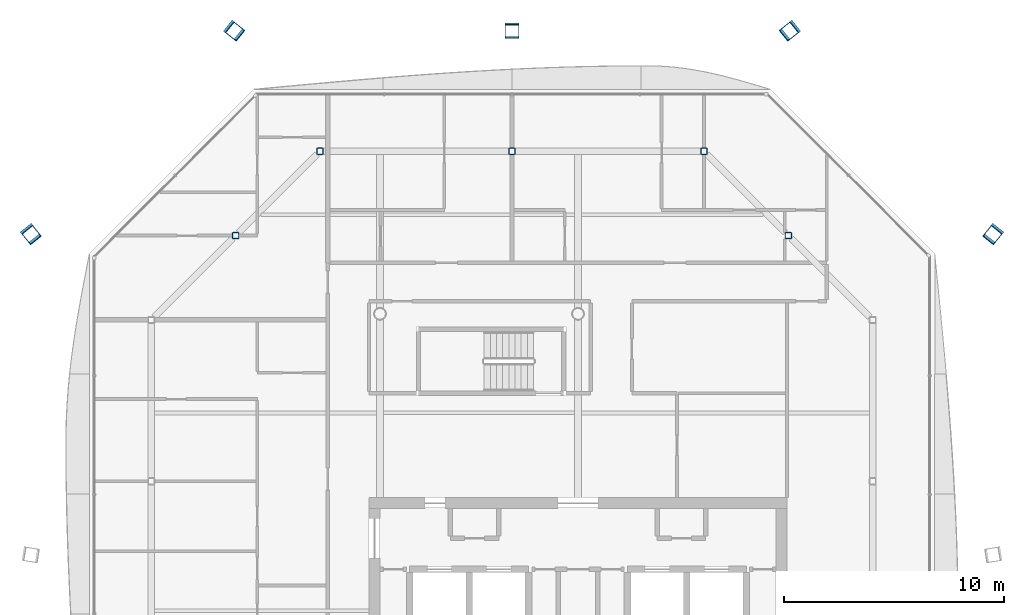
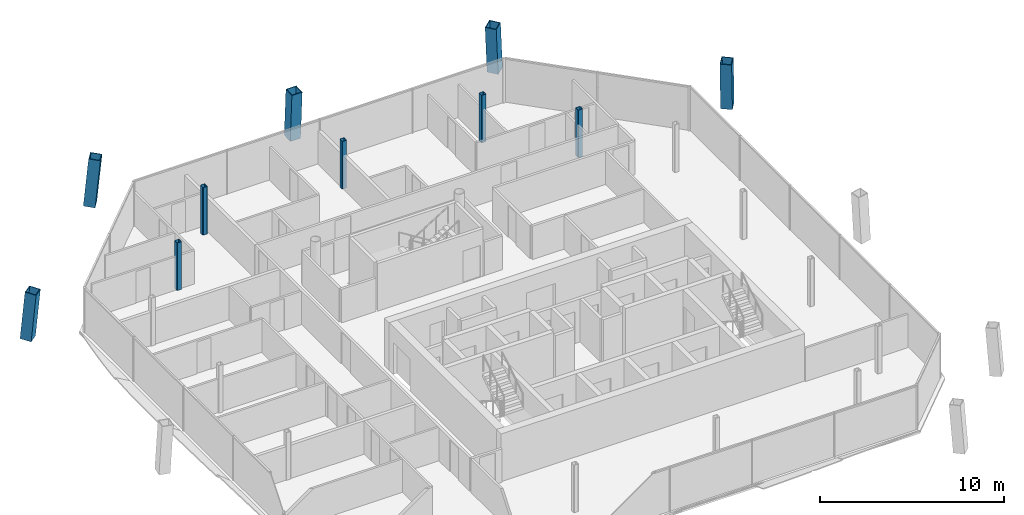
# One storey, part 3 of 18: 10 columns.
"""IFC4 building model written with IfcOpenShell, lengths in metres."""

from ifc_helpers import new_model, si_unit, direction, frame, origin, origin_2d, place, context, subcontext, project, spatial, hollow_rectangle, extrude, material, material_profile, profile_set, type_object, element, save


model = new_model("IFC4")

# Units and contexts
model_context = context("Model", 3, precision=1e-05, world=origin(), true_north=direction((0.0, 1.0)))
body_context = subcontext(model_context, "Body", "Model", "MODEL_VIEW")
ifc_project = project(units=[si_unit("LENGTHUNIT", "METRE"), si_unit("AREAUNIT", "SQUARE_METRE"), si_unit("VOLUMEUNIT", "CUBIC_METRE"), si_unit("PLANEANGLEUNIT", "RADIAN"), si_unit("MASSUNIT", "GRAM", prefix="KILO")], contexts=[model_context])

# Site, building, storey
site_placement = place(None, origin())
site = spatial("IfcSite", under=ifc_project, at=site_placement, CompositionType="ELEMENT")
building_placement = place(site_placement, origin())
building = spatial("IfcBuilding", under=site, at=building_placement, Name="Tskaro Facet Tower", CompositionType="ELEMENT")
storey_placement = place(building_placement, frame((0.0, 0.0, 220.35009765625)))
storey = spatial("IfcBuildingStorey", under=building, at=storey_placement, Name="L56", CompositionType="ELEMENT", Elevation=220.35009765625)

# Columns
ifc_material_1 = material(Name="Steel S355J2", Category="steel")
ifc_material_profile_1 = material_profile(ifc_material_1, hollow_rectangle(XDim=0.64990234375, YDim=0.64990234375, WallThickness=0.0400390625, at=origin_2d()), Name="BOX 650x650x40")
ifc_profile_set_1 = profile_set([ifc_material_profile_1], Name="Steel S355J2")
column_type_1 = type_object("IfcColumnType", Name="BOX 650x650x40 mega column", PredefinedType="COLUMN", material=ifc_profile_set_1)
for number, where, z_axis, x_axis, name in (
    (1, (18.902099609375, 12.66796875, 0.0), (-0.057575198106, -0.071776051258, 0.995757648742), (0.78004983387, -0.625717393621, 0.0), "BOX 650x650x40 MC06/5"),
    (2, (9.66796875, 21.902099609375, 0.0), (-0.071776051258, -0.057575198106, 0.995757648742), (0.625717393621, -0.78004983387, 0.0), "BOX 650x650x40 MC07/5"),
):
    element("IfcColumn", number, at=place(storey_placement, frame(where, z_axis=z_axis, x_axis=x_axis)), inside=storey, type_object=column_type_1, Name=name, PredefinedType="COLUMN", context=body_context, shape_type="SweptSolid", body=[
        extrude(hollow_rectangle(XDim=0.64990234375, YDim=0.64990234375, WallThickness=0.0400390625, at=origin_2d()), origin(), (0.0, 0.0, 1.0), 3.163330078125),
    ])
column_placement = place(storey_placement, frame((-3.0, 21.902099609375, 0.0), z_axis=(0.0, -0.057724081614, 0.998332575048), x_axis=(1.0, 0.0, 0.0)))
element("IfcColumn", 3, at=column_placement, inside=storey, type_object=column_type_1, Name="BOX 650x650x40 MC08/5", PredefinedType="COLUMN", context=body_context, shape_type="SweptSolid", body=[
    extrude(hollow_rectangle(XDim=0.64990234375, YDim=0.64990234375, WallThickness=0.0400390625, at=origin_2d()), origin(), (0.0, 0.0, 1.0), 3.1552734375),
])
for number, where, z_axis, x_axis, name in (
    (4, (-15.66796875, 21.902099609375, 0.0), (0.071776051258, -0.057575198106, 0.995757648742), (0.625717393621, 0.78004983387, 0.0), "BOX 650x650x40 MC09/5"),
    (5, (-24.902099609375, 12.66796875, 0.0), (0.057575198106, -0.071776051258, 0.995757648742), (0.78004983387, 0.625717393621, 0.0), "BOX 650x650x40 MC10/5"),
):
    element("IfcColumn", number, at=place(storey_placement, frame(where, z_axis=z_axis, x_axis=x_axis)), inside=storey, type_object=column_type_1, Name=name, PredefinedType="COLUMN", context=body_context, shape_type="SweptSolid", body=[
        extrude(hollow_rectangle(XDim=0.64990234375, YDim=0.64990234375, WallThickness=0.0400390625, at=origin_2d()), origin(), (0.0, 0.0, 1.0), 3.163330078125),
    ])
ifc_material_2 = material(Name="Steel S355J2H", Category="steel")
ifc_material_profile_2 = material_profile(ifc_material_2, hollow_rectangle(XDim=0.300048828125, YDim=0.300048828125, WallThickness=0.02001953125, InnerFilletRadius=0.030029296875, OuterFilletRadius=0.050048828125, at=origin_2d()), Name="SHS 300x300x20")
ifc_profile_set_2 = profile_set([ifc_material_profile_2], Name="Steel S355J2H")
column_type_2 = type_object("IfcColumnType", Name="SHS 300x300x20 ring column", PredefinedType="COLUMN", material=ifc_profile_set_2)
for number, where, z_axis, x_axis, name in (
    (6, (9.55810546875, 12.55810546875, 0.0), (0.0, 0.0, 1.0), (1.0, 0.0, 0.0), "SHS 300x300x20 RNE-2/5"),
    (7, (5.72509765625, 16.39111328125, 0.0), (0.0, 0.0, 1.0), (1.0, 0.0, 0.0), "SHS 300x300x20 RN-1/5"),
    (8, (-3.0, 16.39111328125, 0.0), (0.0, 0.0, 1.0), (1.0, 0.0, 0.0), "SHS 300x300x20 RN-2/5"),
    (9, (-11.72509765625, 16.39111328125, 0.0), (0.0, 0.0, 1.0), (1.0, 0.0, 0.0), "SHS 300x300x20 RNW-1/5"),
    (10, (-15.55810546875, 12.55810546875, 0.0), (0.0, 0.0, 1.0), (1.0, 0.0, 0.0), "SHS 300x300x20 RNW-2/5"),
):
    element("IfcColumn", number, at=place(storey_placement, frame(where, z_axis=z_axis, x_axis=x_axis)), inside=storey, type_object=column_type_2, Name=name, PredefinedType="COLUMN", context=body_context, shape_type="SweptSolid", body=[
        extrude(hollow_rectangle(XDim=0.300048828125, YDim=0.300048828125, WallThickness=0.02001953125, InnerFilletRadius=0.030029296875, OuterFilletRadius=0.050048828125, at=origin_2d()), origin(), (0.0, 0.0, 1.0), 3.14990234375),
    ])

save(model, "model.ifc")
